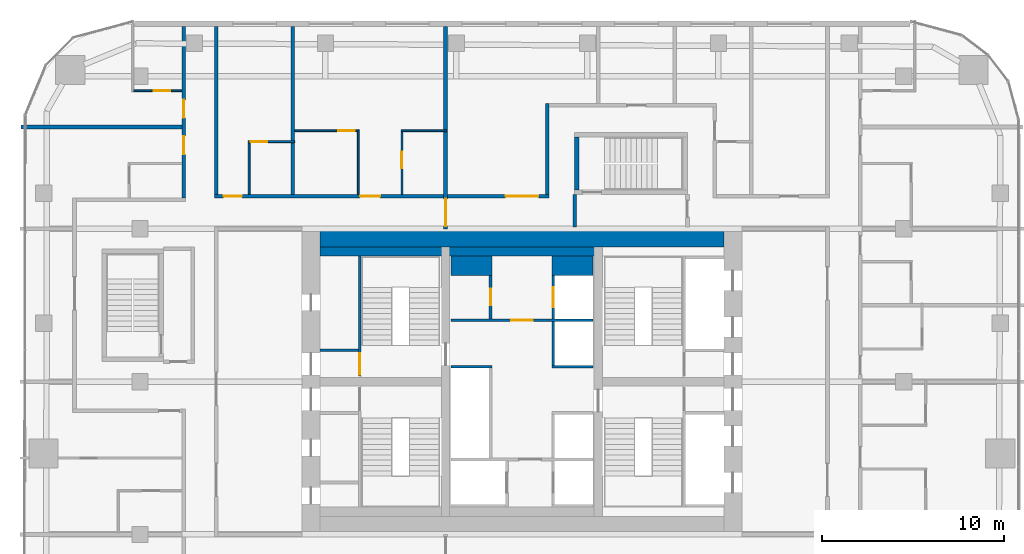
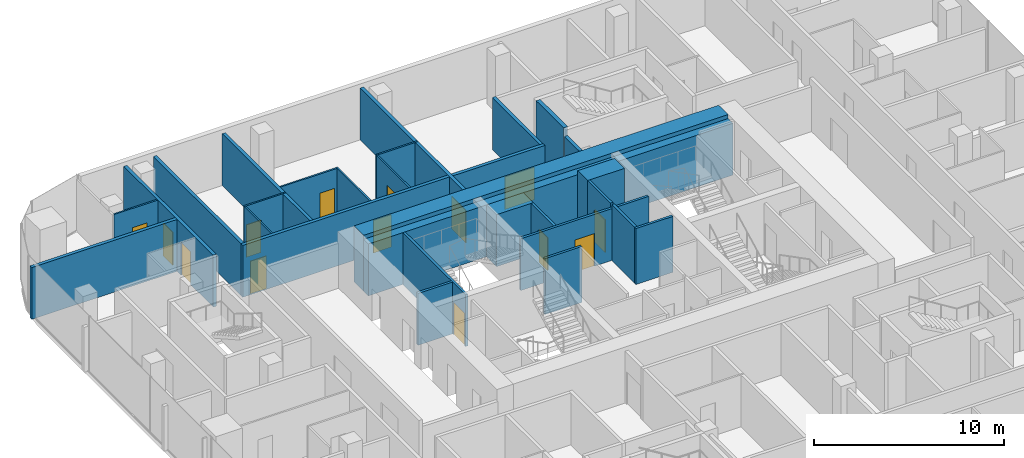
# One storey, part 19 of 23: 28 walls, 14 doors, 14 openings.
"""IFC4 building model written with IfcOpenShell, lengths in metres."""

from ifc_helpers import new_model, si_unit, direction, frame, frame_2d, origin, place, context, subcontext, project, spatial, rectangle, extrude, material, layer, layer_set, type_object, element, fill, save


model = new_model("IFC4")

# Units and contexts
model_context = context("Model", 3, precision=1e-05, world=origin(), true_north=direction((0.0, 1.0)))
body_context = subcontext(model_context, "Body", "Model", "MODEL_VIEW")
ifc_project = project(units=[si_unit("LENGTHUNIT", "METRE"), si_unit("AREAUNIT", "SQUARE_METRE"), si_unit("VOLUMEUNIT", "CUBIC_METRE"), si_unit("PLANEANGLEUNIT", "RADIAN"), si_unit("MASSUNIT", "GRAM", prefix="KILO")], contexts=[model_context])

# Site, building, storey
site_placement = place(None, origin())
site = spatial("IfcSite", under=ifc_project, at=site_placement, CompositionType="ELEMENT")
building_placement = place(site_placement, origin())
building = spatial("IfcBuilding", under=site, at=building_placement, Name="Marenta Gate Hotel Tower", CompositionType="ELEMENT")
storey_placement = place(building_placement, frame((0.0, 0.0, 126.5)))
storey = spatial("IfcBuildingStorey", under=building, at=storey_placement, Name="L28", CompositionType="ELEMENT", Elevation=126.5)

# Wall, opening, door
ifc_material_1 = material(Name="Concrete blockwork", Category="masonry")
ifc_layer_1 = layer(ifc_material_1, 0.199951171875)
ifc_layer_set_1 = layer_set([ifc_layer_1], Name="Concrete blockwork")
wall_type_1 = type_object("IfcWallType", Name="Compartment wall 200 REI 180", PredefinedType="PARTITIONING", material=ifc_layer_set_1)
wall_1_placement = place(storey_placement, frame((-4.199951171875, 16.800048828125, 0.0), z_axis=(0.0, 0.0, 1.0), x_axis=(0.0, 1.0, 0.0)))
wall_1 = element("IfcWall", 1, at=wall_1_placement, inside=storey, type_object=wall_type_1, Name="L28-PTN-W080", PredefinedType="PARTITIONING", context=body_context, shape_type="SweptSolid", body=[
    extrude(rectangle(XDim=11.139892578125, YDim=0.199951171875, at=frame_2d((5.56982421875, 0.0))), origin(), (0.0, 0.0, 1.0), 3.340087890625),
])
opening_1_placement = place(wall_1_placement, frame((0.14990234375, 0.0, 0.0)))
opening_1 = element("IfcOpeningElement", 2, at=opening_1_placement, cuts=wall_1, Name="Opening G10-FD1", PredefinedType="OPENING", context=body_context, shape_type="SweptSolid", body=[
    extrude(rectangle(XDim=1.5, YDim=2.10009765625, at=frame_2d((0.75, 1.050048828125))), frame((0.0, 0.10009765625, 0.0), z_axis=(0.0, -1.0, 0.0), x_axis=(1.0, 0.0, 0.0)), (0.0, 0.0, 1.0), 0.199951171875),
])
ifc_material_2 = material(Name="Hollow steel door set", Category="steel")
door_type_1 = type_object("IfcDoorType", Name="Compartment fire door 1500x2100 EI 60", OperationType="DOUBLE_DOOR_DOUBLE_SWING", PredefinedType="DOOR", material=ifc_material_2)
door_1_placement = place(opening_1_placement, origin())
door_1 = element("IfcDoor", 3, at=door_1_placement, inside=storey, type_object=door_type_1, Name="L28-PD-FD01", OperationType="DOUBLE_DOOR_DOUBLE_SWING", OverallHeight=2.10009765625, OverallWidth=1.5, PredefinedType="DOOR", context=body_context, shape_type="SweptSolid", body=[
    extrude(rectangle(XDim=1.5, YDim=2.10009765625, at=frame_2d((0.75, 1.050048828125))), frame((0.0, 0.02490234375, 0.0), z_axis=(0.0, -1.0, 0.0), x_axis=(1.0, 0.0, 0.0)), (0.0, 0.0, 1.0), 0.050048828125),
])
fill(opening_1, door_1)

# Wall
ifc_material_3 = material(Name="Concrete C40", Category="concrete")
ifc_layer_2 = layer(ifc_material_3, 0.5)
ifc_layer_set_2 = layer_set([ifc_layer_2], Name="Concrete C40")
wall_type_2 = type_object("IfcWallType", Name="Core lining wall 500 REI 180", PredefinedType="PARTITIONING", material=ifc_layer_set_2)
wall_2_placement = place(storey_placement, frame((-11.10009765625, 15.550048828125, 0.0), z_axis=(0.0, 0.0, 1.0), x_axis=(1.0, 0.0, 0.0)))
element("IfcWall", 4, at=wall_2_placement, inside=storey, type_object=wall_type_2, Name="L28-CP-LN-N", PredefinedType="PARTITIONING", context=body_context, shape_type="SweptSolid", body=[
    extrude(rectangle(XDim=22.2001953125, YDim=0.5, at=frame_2d((11.10009765625, 0.0))), origin(), (0.0, 0.0, 1.0), 3.340087890625),
])

# Wall, opening, door
ifc_material_4 = material(Name="Concrete blockwork", Category="masonry")
ifc_layer_3 = layer(ifc_material_4, 0.14990234375)
ifc_layer_set_3 = layer_set([ifc_layer_3], Name="Concrete blockwork")
wall_type_3 = type_object("IfcWallType", Name="Core lobby partition 150 REI 180", PredefinedType="PARTITIONING", material=ifc_layer_set_3)
wall_3_placement = place(storey_placement, frame((-3.89990234375, 11.77490234375, 0.0), z_axis=(0.0, 0.0, 1.0), x_axis=(1.0, 0.0, 0.0)))
wall_3 = element("IfcWall", 5, at=wall_3_placement, inside=storey, type_object=wall_type_3, Name="L28-CP-CW-N", PredefinedType="PARTITIONING", context=body_context, shape_type="SweptSolid", body=[
    extrude(rectangle(XDim=7.7998046875, YDim=0.14990234375, at=frame_2d((3.89990234375, 0.0))), origin(), (0.0, 0.0, 1.0), 3.340087890625),
])
opening_2_placement = place(wall_3_placement, frame((3.300048828125, 0.0, 0.0)))
opening_2 = element("IfcOpeningElement", 6, at=opening_2_placement, cuts=wall_3, Name="Opening FD-FFN", PredefinedType="OPENING", context=body_context, shape_type="SweptSolid", body=[
    extrude(rectangle(XDim=1.199951171875, YDim=2.10009765625, at=frame_2d((0.60009765625, 1.050048828125))), frame((0.0, 0.074951171875, 0.0), z_axis=(0.0, -1.0, 0.0), x_axis=(1.0, 0.0, 0.0)), (0.0, 0.0, 1.0), 0.14990234375),
])
ifc_material_5 = material(Name="Steel", Category="steel")
door_type_2 = type_object("IfcDoorType", Name="Core lobby door 1200x2100 FD60", OperationType="SINGLE_SWING_LEFT", PredefinedType="DOOR", material=ifc_material_5)
door_2_placement = place(opening_2_placement, origin())
door_2 = element("IfcDoor", 7, at=door_2_placement, inside=storey, type_object=door_type_2, Name="FD-FFN", OperationType="SINGLE_SWING_LEFT", OverallHeight=2.10009765625, OverallWidth=1.199951171875, PredefinedType="DOOR", context=body_context, shape_type="SweptSolid", body=[
    extrude(rectangle(XDim=1.199951171875, YDim=2.10009765625, at=frame_2d((0.60009765625, 1.050048828125))), frame((0.0, 0.02490234375, 0.0), z_axis=(0.0, -1.0, 0.0), x_axis=(1.0, 0.0, 0.0)), (0.0, 0.0, 1.0), 0.050048828125),
])
fill(opening_2, door_2)

# Walls
ifc_material_6 = material(Name="Concrete blockwork", Category="masonry")
ifc_layer_4 = layer(ifc_material_6, 1.050048828125)
ifc_layer_set_4 = layer_set([ifc_layer_4], Name="Concrete blockwork")
wall_type_4 = type_object("IfcWallType", Name="Core room partition 1050 REI 180", PredefinedType="PARTITIONING", material=ifc_layer_set_4)
wall_4_placement = place(storey_placement, frame((-3.89990234375, 14.77490234375, 0.0), z_axis=(0.0, 0.0, 1.0), x_axis=(1.0, 0.0, 0.0)))
element("IfcWall", 8, at=wall_4_placement, inside=storey, type_object=wall_type_4, Name="L28-CP-CW-W-riser-N", PredefinedType="PARTITIONING", context=body_context, shape_type="SweptSolid", body=[
    extrude(rectangle(XDim=2.25, YDim=1.050048828125, at=frame_2d((1.125, 0.0))), origin(), (0.0, 0.0, 1.0), 3.340087890625),
])
ifc_material_7 = material(Name="Concrete blockwork", Category="masonry")
ifc_layer_5 = layer(ifc_material_7, 0.14990234375)
ifc_layer_set_5 = layer_set([ifc_layer_5], Name="Concrete blockwork")
wall_type_5 = type_object("IfcWallType", Name="Core room partition 150 REI 180", PredefinedType="PARTITIONING", material=ifc_layer_set_5)
wall_5_placement = place(storey_placement, frame((-11.10009765625, 10.125, 0.0), z_axis=(0.0, 0.0, 1.0), x_axis=(1.0, 0.0, 0.0)))
element("IfcWall", 9, at=wall_5_placement, inside=storey, type_object=wall_type_5, Name="L28-CP-SW-WN-2", PredefinedType="PARTITIONING", context=body_context, shape_type="SweptSolid", body=[
    extrude(rectangle(XDim=2.10009765625, YDim=0.14990234375, at=frame_2d((1.050048828125, 0.0))), origin(), (0.0, 0.0, 1.0), 3.340087890625),
])

# Wall, opening, door
wall_6_placement = place(storey_placement, frame((-1.72509765625, 11.85009765625, 0.0), z_axis=(0.0, 0.0, 1.0), x_axis=(0.0, 1.0, 0.0)))
wall_6 = element("IfcWall", 10, at=wall_6_placement, inside=storey, type_object=wall_type_5, Name="L28-CP-CW-W-riser-front", PredefinedType="PARTITIONING", context=body_context, shape_type="SweptSolid", body=[
    extrude(rectangle(XDim=2.39990234375, YDim=0.14990234375, at=frame_2d((1.199951171875, 0.0))), origin(), (0.0, 0.0, 1.0), 3.340087890625),
])
opening_3_placement = place(wall_6_placement, frame((0.75, 0.0, 0.0)))
opening_3 = element("IfcOpeningElement", 11, at=opening_3_placement, cuts=wall_6, Name="Opening RD-CRISER", PredefinedType="OPENING", context=body_context, shape_type="SweptSolid", body=[
    extrude(rectangle(XDim=0.89990234375, YDim=2.10009765625, at=frame_2d((0.449951171875, 1.050048828125))), frame((0.0, 0.074951171875, 0.0), z_axis=(0.0, -1.0, 0.0), x_axis=(1.0, 0.0, 0.0)), (0.0, 0.0, 1.0), 0.14990234375),
])
ifc_material_8 = material(Name="Steel", Category="steel")
door_type_3 = type_object("IfcDoorType", Name="Core riser door 900x2100 FD60", OperationType="SINGLE_SWING_LEFT", PredefinedType="DOOR", material=ifc_material_8)
door_3_placement = place(opening_3_placement, origin())
door_3 = element("IfcDoor", 12, at=door_3_placement, inside=storey, type_object=door_type_3, Name="RD-CRISER", OperationType="SINGLE_SWING_LEFT", OverallHeight=2.10009765625, OverallWidth=0.89990234375, PredefinedType="DOOR", context=body_context, shape_type="SweptSolid", body=[
    extrude(rectangle(XDim=0.89990234375, YDim=2.10009765625, at=frame_2d((0.449951171875, 1.050048828125))), frame((0.0, 0.02490234375, 0.0), z_axis=(0.0, -1.0, 0.0), x_axis=(1.0, 0.0, 0.0)), (0.0, 0.0, 1.0), 0.050048828125),
])
fill(opening_3, door_3)

# Walls
ifc_material_9 = material(Name="Concrete C40", Category="concrete")
ifc_layer_6 = layer(ifc_material_9, 1.050048828125)
ifc_layer_set_6 = layer_set([ifc_layer_6], Name="Concrete C40")
wall_type_6 = type_object("IfcWallType", Name="Core shaft wall 1050 REI 180", PredefinedType="SHEAR", material=ifc_layer_set_6)
wall_7_placement = place(storey_placement, frame((1.64990234375, 14.77490234375, 0.0), z_axis=(0.0, 0.0, 1.0), x_axis=(1.0, 0.0, 0.0)))
element("IfcWall", 13, at=wall_7_placement, inside=storey, type_object=wall_type_6, Name="L28-SHF-CE-N-top", PredefinedType="SHEAR", context=body_context, shape_type="SweptSolid", body=[
    extrude(rectangle(XDim=2.25, YDim=1.050048828125, at=frame_2d((1.125, 0.0))), origin(), (0.0, 0.0, 1.0), 3.60009765625),
])
ifc_material_10 = material(Name="Concrete C40", Category="concrete")
ifc_layer_7 = layer(ifc_material_10, 0.14990234375)
ifc_layer_set_7 = layer_set([ifc_layer_7], Name="Concrete C40")
wall_type_7 = type_object("IfcWallType", Name="Core shaft wall 150 REI 180", PredefinedType="SHEAR", material=ifc_layer_set_7)
wall_8_placement = place(storey_placement, frame((-3.89990234375, 9.22509765625, 0.0), z_axis=(0.0, 0.0, 1.0), x_axis=(1.0, 0.0, 0.0)))
element("IfcWall", 14, at=wall_8_placement, inside=storey, type_object=wall_type_7, Name="L28-SHF-CW-W-sep", PredefinedType="SHEAR", context=body_context, shape_type="SweptSolid", body=[
    extrude(rectangle(XDim=2.25, YDim=0.14990234375, at=frame_2d((1.125, 0.0))), origin(), (0.0, 0.0, 1.0), 3.60009765625),
])

# Wall, opening, door
wall_9_placement = place(storey_placement, frame((1.72509765625, 11.85009765625, 0.0), z_axis=(0.0, 0.0, 1.0), x_axis=(0.0, 1.0, 0.0)))
wall_9 = element("IfcWall", 15, at=wall_9_placement, inside=storey, type_object=wall_type_7, Name="L28-SHF-CE-N-front2", PredefinedType="SHEAR", context=body_context, shape_type="SweptSolid", body=[
    extrude(rectangle(XDim=2.39990234375, YDim=0.14990234375, at=frame_2d((1.199951171875, 0.0))), origin(), (0.0, 0.0, 1.0), 3.60009765625),
])
opening_4_placement = place(wall_9_placement, frame((0.64990234375, 0.0, 0.0)))
opening_4 = element("IfcOpeningElement", 16, at=opening_4_placement, cuts=wall_9, Name="Opening LD-FF2", PredefinedType="OPENING", context=body_context, shape_type="SweptSolid", body=[
    extrude(rectangle(XDim=1.10009765625, YDim=2.10009765625, at=frame_2d((0.550048828125, 1.050048828125))), frame((0.0, 0.074951171875, 0.0), z_axis=(0.0, -1.0, 0.0), x_axis=(1.0, 0.0, 0.0)), (0.0, 0.0, 1.0), 0.14990234375),
])
ifc_material_11 = material(Name="Steel", Category="steel")
door_type_4 = type_object("IfcDoorType", Name="Core lift landing door 1100x2100 E 60", OperationType="SLIDING_TO_LEFT", PredefinedType="DOOR", material=ifc_material_11)
door_4_placement = place(opening_4_placement, origin())
door_4 = element("IfcDoor", 17, at=door_4_placement, inside=storey, type_object=door_type_4, Name="LD-FF2", OperationType="SLIDING_TO_LEFT", OverallHeight=2.10009765625, OverallWidth=1.10009765625, PredefinedType="DOOR", context=body_context, shape_type="SweptSolid", body=[
    extrude(rectangle(XDim=1.10009765625, YDim=2.10009765625, at=frame_2d((0.550048828125, 1.050048828125))), frame((0.0, 0.02490234375, 0.0), z_axis=(0.0, -1.0, 0.0), x_axis=(1.0, 0.0, 0.0)), (0.0, 0.0, 1.0), 0.050048828125),
])
fill(opening_4, door_4)

# Walls
wall_10_placement = place(storey_placement, frame((1.64990234375, 9.22509765625, 0.0), z_axis=(0.0, 0.0, 1.0), x_axis=(1.0, 0.0, 0.0)))
element("IfcWall", 18, at=wall_10_placement, inside=storey, type_object=wall_type_7, Name="L28-SHF-CE-sep2", PredefinedType="SHEAR", context=body_context, shape_type="SweptSolid", body=[
    extrude(rectangle(XDim=2.25, YDim=0.14990234375, at=frame_2d((1.125, 0.0))), origin(), (0.0, 0.0, 1.0), 3.60009765625),
])
wall_11_placement = place(storey_placement, frame((1.72509765625, 9.300048828125, 0.0), z_axis=(0.0, 0.0, 1.0), x_axis=(0.0, 1.0, 0.0)))
element("IfcWall", 19, at=wall_11_placement, inside=storey, type_object=wall_type_7, Name="L28-SHF-CE-front-2", PredefinedType="SHEAR", context=body_context, shape_type="SweptSolid", body=[
    extrude(rectangle(XDim=2.39990234375, YDim=0.14990234375, at=frame_2d((1.199951171875, 0.0))), origin(), (0.0, 0.0, 1.0), 3.60009765625),
])

# Wall, opening, door
ifc_material_12 = material(Name="Concrete C40", Category="concrete")
ifc_layer_8 = layer(ifc_material_12, 0.14990234375)
ifc_layer_set_8 = layer_set([ifc_layer_8], Name="Concrete C40")
wall_type_8 = type_object("IfcWallType", Name="Core stair enclosure wall 150 REI 180", PredefinedType="SHEAR", material=ifc_layer_set_8)
wall_12_placement = place(storey_placement, frame((-8.925048828125, 8.699951171875, 0.0), z_axis=(0.0, 0.0, 1.0), x_axis=(0.0, 1.0, 0.0)))
wall_12 = element("IfcWall", 20, at=wall_12_placement, inside=storey, type_object=wall_type_8, Name="L28-SHF-SW-WN-3", PredefinedType="SHEAR", context=body_context, shape_type="SweptSolid", body=[
    extrude(rectangle(XDim=6.60009765625, YDim=0.14990234375, at=frame_2d((3.300048828125, 0.0))), origin(), (0.0, 0.0, 1.0), 3.340087890625),
])
opening_5_placement = place(wall_12_placement, frame((0.074951171875, 0.0, 0.0)))
opening_5 = element("IfcOpeningElement", 21, at=opening_5_placement, cuts=wall_12, Name="Opening SD-WN", PredefinedType="OPENING", context=body_context, shape_type="SweptSolid", body=[
    extrude(rectangle(XDim=1.199951171875, YDim=2.10009765625, at=frame_2d((0.60009765625, 1.050048828125))), frame((0.0, 0.074951171875, 0.0), z_axis=(0.0, -1.0, 0.0), x_axis=(1.0, 0.0, 0.0)), (0.0, 0.0, 1.0), 0.14990234375),
])
ifc_material_13 = material(Name="Steel", Category="steel")
door_type_5 = type_object("IfcDoorType", Name="Core stair door 1200x2100 FD60", OperationType="SINGLE_SWING_LEFT", PredefinedType="DOOR", material=ifc_material_13)
door_5_placement = place(opening_5_placement, origin())
door_5 = element("IfcDoor", 22, at=door_5_placement, inside=storey, type_object=door_type_5, Name="SD-WN", OperationType="SINGLE_SWING_LEFT", OverallHeight=2.10009765625, OverallWidth=1.199951171875, PredefinedType="DOOR", context=body_context, shape_type="SweptSolid", body=[
    extrude(rectangle(XDim=1.199951171875, YDim=2.10009765625, at=frame_2d((0.60009765625, 1.050048828125))), frame((0.0, 0.02490234375, 0.0), z_axis=(0.0, -1.0, 0.0), x_axis=(1.0, 0.0, 0.0)), (0.0, 0.0, 1.0), 0.050048828125),
])
fill(opening_5, door_5)

# Walls
ifc_material_14 = material(Name="Concrete C70", Category="concrete")
ifc_layer_9 = layer(ifc_material_14, 1.0)
ifc_layer_set_9 = layer_set([ifc_layer_9], Name="Concrete C70")
wall_type_9 = type_object("IfcWallType", Name="Core wall 1000 C70", PredefinedType="SHEAR", material=ifc_layer_set_9)
wall_13_placement = place(storey_placement, frame((-11.10009765625, 16.300048828125, 0.0), z_axis=(0.0, 0.0, 1.0), x_axis=(1.0, 0.0, 0.0)))
element("IfcWall", 23, at=wall_13_placement, inside=storey, type_object=wall_type_9, Name="L28-CORE-N", PredefinedType="SHEAR", context=body_context, shape_type="SweptSolid", body=[
    extrude(rectangle(XDim=22.2001953125, YDim=1.0, at=frame_2d((11.10009765625, 0.0))), origin(), (0.0, 0.0, 1.0), 3.60009765625),
])
ifc_material_15 = material(Name="Concrete C40", Category="concrete")
ifc_layer_10 = layer(ifc_material_15, 0.25)
ifc_layer_set_10 = layer_set([ifc_layer_10], Name="Concrete C40")
wall_type_10 = type_object("IfcWallType", Name="Remote stair enclosure wall 250 REI 180", PredefinedType="SHEAR", material=ifc_layer_set_10)
wall_14_placement = place(storey_placement, frame((3.02490234375, 18.949951171875, 0.10009765625), z_axis=(0.0, 0.0, 1.0), x_axis=(0.0, 1.0, 0.0)))
element("IfcWall", 24, at=wall_14_placement, inside=storey, type_object=wall_type_10, Name="L28-RS-Z2-4-W3", PredefinedType="SHEAR", context=body_context, shape_type="SweptSolid", body=[
    extrude(rectangle(XDim=2.900146484375, YDim=0.25, at=frame_2d((1.4501953125, 0.0))), origin(), (0.0, 0.0, 1.0), 3.599853515625),
])
ifc_material_16 = material(Name="Gypsum board on steel stud", Category="steel")
ifc_layer_11 = layer(ifc_material_16, 0.199951171875)
ifc_layer_set_11 = layer_set([ifc_layer_11], Name="Gypsum board on steel stud")
wall_type_11 = type_object("IfcWallType", Name="Room corridor wall 200 EI 60", PredefinedType="PARTITIONING", material=ifc_layer_set_11)
wall_15_placement = place(storey_placement, frame((1.39990234375, 18.699951171875, 0.0), z_axis=(0.0, 0.0, 1.0), x_axis=(0.0, 1.0, 0.0)))
element("IfcWall", 25, at=wall_15_placement, inside=storey, type_object=wall_type_11, Name="L28-PTN-W071", PredefinedType="PARTITIONING", context=body_context, shape_type="SweptSolid", body=[
    extrude(rectangle(XDim=5.0, YDim=0.199951171875, at=frame_2d((2.5, 0.0))), origin(), (0.0, 0.0, 1.0), 3.340087890625),
])
wall_16_placement = place(storey_placement, frame((-16.800048828125, 18.699951171875, 0.0), z_axis=(0.0, 0.0, 1.0), x_axis=(0.0, 1.0, 0.0)))
element("IfcWall", 26, at=wall_16_placement, inside=storey, type_object=wall_type_11, Name="L28-PTN-W106", PredefinedType="PARTITIONING", context=body_context, shape_type="SweptSolid", body=[
    extrude(rectangle(XDim=9.239990234375, YDim=0.199951171875, at=frame_2d((4.6201171875, 0.0))), origin(), (0.0, 0.0, 1.0), 3.340087890625),
])

# Wall, openings, doors
wall_17_placement = place(storey_placement, frame((-18.60009765625, 18.5, 0.0), z_axis=(0.0, 0.0, 1.0), x_axis=(0.0, 1.0, 0.0)))
wall_17 = element("IfcWall", 27, at=wall_17_placement, inside=storey, type_object=wall_type_11, Name="L28-PTN-W112", PredefinedType="PARTITIONING", context=body_context, shape_type="SweptSolid", body=[
    extrude(rectangle(XDim=9.43994140625, YDim=0.199951171875, at=frame_2d((4.719970703125, 0.0))), origin(), (0.0, 0.0, 1.0), 3.340087890625),
])
opening_6_placement = place(wall_17_placement, frame((2.39990234375, 0.0, 0.0)))
opening_6 = element("IfcOpeningElement", 28, at=opening_6_placement, cuts=wall_17, Name="Opening G10-65", PredefinedType="OPENING", context=body_context, shape_type="SweptSolid", body=[
    extrude(rectangle(XDim=1.0, YDim=2.10009765625, at=frame_2d((0.5, 1.050048828125))), frame((0.0, 0.10009765625, 0.0), z_axis=(0.0, -1.0, 0.0), x_axis=(1.0, 0.0, 0.0)), (0.0, 0.0, 1.0), 0.199951171875),
])
opening_7_placement = place(wall_17_placement, frame((4.39990234375, 0.0, 0.0)))
opening_7 = element("IfcOpeningElement", 29, at=opening_7_placement, cuts=wall_17, Name="Opening G10-67", PredefinedType="OPENING", context=body_context, shape_type="SweptSolid", body=[
    extrude(rectangle(XDim=1.0, YDim=2.10009765625, at=frame_2d((0.5, 1.050048828125))), frame((0.0, 0.10009765625, 0.0), z_axis=(0.0, -1.0, 0.0), x_axis=(1.0, 0.0, 0.0)), (0.0, 0.0, 1.0), 0.199951171875),
])
ifc_material_17 = material(Name="Timber door leaf", Category="wood")
door_type_6 = type_object("IfcDoorType", Name="Guest room door 1000x2100 EI 30", OperationType="NOTDEFINED", PredefinedType="DOOR", material=ifc_material_17)
door_6_placement = place(opening_6_placement, origin())
door_6 = element("IfcDoor", 30, at=door_6_placement, inside=storey, type_object=door_type_6, Name="L28-PD-D065", OperationType="SINGLE_SWING_RIGHT", OverallHeight=2.10009765625, OverallWidth=1.0, PredefinedType="DOOR", context=body_context, shape_type="SweptSolid", body=[
    extrude(rectangle(XDim=1.0, YDim=2.10009765625, at=frame_2d((0.5, 1.050048828125))), frame((0.0, 0.02490234375, 0.0), z_axis=(0.0, -1.0, 0.0), x_axis=(1.0, 0.0, 0.0)), (0.0, 0.0, 1.0), 0.050048828125),
])
fill(opening_6, door_6)
door_7_placement = place(opening_7_placement, origin())
door_7 = element("IfcDoor", 31, at=door_7_placement, inside=storey, type_object=door_type_6, Name="L28-PD-D067", OperationType="SINGLE_SWING_RIGHT", OverallHeight=2.10009765625, OverallWidth=1.0, PredefinedType="DOOR", context=body_context, shape_type="SweptSolid", body=[
    extrude(rectangle(XDim=1.0, YDim=2.10009765625, at=frame_2d((0.5, 1.050048828125))), frame((0.0, 0.02490234375, 0.0), z_axis=(0.0, -1.0, 0.0), x_axis=(1.0, 0.0, 0.0)), (0.0, 0.0, 1.0), 0.050048828125),
])
fill(opening_7, door_7)

wall_18_placement = place(storey_placement, frame((-16.89990234375, 18.60009765625, 0.0), z_axis=(0.0, 0.0, 1.0), x_axis=(1.0, 0.0, 0.0)))
wall_18 = element("IfcWall", 32, at=wall_18_placement, inside=storey, type_object=wall_type_11, Name="L28-PTN-W113", PredefinedType="PARTITIONING", context=body_context, shape_type="SweptSolid", body=[
    extrude(rectangle(XDim=18.39990234375, YDim=0.199951171875, at=frame_2d((9.199951171875, 0.0))), origin(), (0.0, 0.0, 1.0), 3.340087890625),
])
opening_8_placement = place(wall_18_placement, frame((0.5, 0.0, 0.0)))
opening_8 = element("IfcOpeningElement", 33, at=opening_8_placement, cuts=wall_18, Name="Opening G10-30", PredefinedType="OPENING", context=body_context, shape_type="SweptSolid", body=[
    extrude(rectangle(XDim=1.0, YDim=2.10009765625, at=frame_2d((0.5, 1.050048828125))), frame((0.0, 0.10009765625, 0.0), z_axis=(0.0, -1.0, 0.0), x_axis=(1.0, 0.0, 0.0)), (0.0, 0.0, 1.0), 0.199951171875),
])
opening_9_placement = place(wall_18_placement, frame((8.0, 0.0, 0.0)))
opening_9 = element("IfcOpeningElement", 34, at=opening_9_placement, cuts=wall_18, Name="Opening G10-32", PredefinedType="OPENING", context=body_context, shape_type="SweptSolid", body=[
    extrude(rectangle(XDim=1.10009765625, YDim=2.10009765625, at=frame_2d((0.550048828125, 1.050048828125))), frame((0.0, 0.10009765625, 0.0), z_axis=(0.0, -1.0, 0.0), x_axis=(1.0, 0.0, 0.0)), (0.0, 0.0, 1.0), 0.199951171875),
])
opening_10_placement = place(wall_18_placement, frame((16.0, 0.0, 0.0)))
opening_10 = element("IfcOpeningElement", 35, at=opening_10_placement, cuts=wall_18, Name="Opening G10-35", PredefinedType="OPENING", context=body_context, shape_type="SweptSolid", body=[
    extrude(rectangle(XDim=1.800048828125, YDim=2.10009765625, at=frame_2d((0.89990234375, 1.050048828125))), frame((0.0, 0.10009765625, 0.0), z_axis=(0.0, -1.0, 0.0), x_axis=(1.0, 0.0, 0.0)), (0.0, 0.0, 1.0), 0.199951171875),
])
door_8_placement = place(opening_8_placement, origin())
door_8 = element("IfcDoor", 36, at=door_8_placement, inside=storey, type_object=door_type_6, Name="L28-PD-D030", OperationType="SINGLE_SWING_LEFT", OverallHeight=2.10009765625, OverallWidth=1.0, PredefinedType="DOOR", context=body_context, shape_type="SweptSolid", body=[
    extrude(rectangle(XDim=1.0, YDim=2.10009765625, at=frame_2d((0.5, 1.050048828125))), frame((0.0, 0.02490234375, 0.0), z_axis=(0.0, -1.0, 0.0), x_axis=(1.0, 0.0, 0.0)), (0.0, 0.0, 1.0), 0.050048828125),
])
fill(opening_8, door_8)
ifc_material_18 = material(Name="Timber door leaf", Category="wood")
door_type_7 = type_object("IfcDoorType", Name="Guest room door 1100x2100 EI 30", OperationType="NOTDEFINED", PredefinedType="DOOR", material=ifc_material_18)
door_9_placement = place(opening_9_placement, origin())
door_9 = element("IfcDoor", 37, at=door_9_placement, inside=storey, type_object=door_type_7, Name="L28-PD-D032", OperationType="SINGLE_SWING_LEFT", OverallHeight=2.10009765625, OverallWidth=1.10009765625, PredefinedType="DOOR", context=body_context, shape_type="SweptSolid", body=[
    extrude(rectangle(XDim=1.10009765625, YDim=2.10009765625, at=frame_2d((0.550048828125, 1.050048828125))), frame((0.0, 0.02490234375, 0.0), z_axis=(0.0, -1.0, 0.0), x_axis=(1.0, 0.0, 0.0)), (0.0, 0.0, 1.0), 0.050048828125),
])
fill(opening_9, door_9)
ifc_material_19 = material(Name="Timber door leaf", Category="wood")
door_type_8 = type_object("IfcDoorType", Name="Room amenity door 1800x2100 EI 30", OperationType="DOUBLE_DOOR_SINGLE_SWING", PredefinedType="DOOR", material=ifc_material_19)
door_10_placement = place(opening_10_placement, origin())
door_10 = element("IfcDoor", 38, at=door_10_placement, inside=storey, type_object=door_type_8, Name="L28-PD-D035", OperationType="DOUBLE_DOOR_SINGLE_SWING", OverallHeight=2.10009765625, OverallWidth=1.800048828125, PredefinedType="DOOR", context=body_context, shape_type="SweptSolid", body=[
    extrude(rectangle(XDim=1.800048828125, YDim=2.10009765625, at=frame_2d((0.89990234375, 1.050048828125))), frame((0.0, 0.02490234375, 0.0), z_axis=(0.0, -1.0, 0.0), x_axis=(1.0, 0.0, 0.0)), (0.0, 0.0, 1.0), 0.050048828125),
])
fill(opening_10, door_10)

# Wall
ifc_material_20 = material(Name="Concrete blockwork", Category="masonry")
ifc_layer_12 = layer(ifc_material_20, 0.199951171875)
ifc_layer_set_12 = layer_set([ifc_layer_12], Name="Concrete blockwork")
wall_type_12 = type_object("IfcWallType", Name="Room corridor wall 200 REI 180", PredefinedType="PARTITIONING", material=ifc_layer_set_12)
wall_19_placement = place(storey_placement, frame((2.89990234375, 16.89990234375, 0.0), z_axis=(0.0, 0.0, 1.0), x_axis=(0.0, 1.0, 0.0)))
element("IfcWall", 39, at=wall_19_placement, inside=storey, type_object=wall_type_12, Name="L28-PTN-W065", PredefinedType="PARTITIONING", context=body_context, shape_type="SweptSolid", body=[
    extrude(rectangle(XDim=1.800048828125, YDim=0.199951171875, at=frame_2d((0.89990234375, 0.0))), origin(), (0.0, 0.0, 1.0), 3.340087890625),
])

# Wall, opening, door
ifc_material_21 = material(Name="Gypsum board on steel stud", Category="steel")
ifc_layer_13 = layer(ifc_material_21, 0.10009765625)
ifc_layer_set_13 = layer_set([ifc_layer_13], Name="Gypsum board on steel stud")
wall_type_13 = type_object("IfcWallType", Name="Room partition 100", PredefinedType="PARTITIONING", material=ifc_layer_set_13)
wall_20_placement = place(storey_placement, frame((-6.60009765625, 18.699951171875, 0.0), z_axis=(0.0, 0.0, 1.0), x_axis=(0.0, 1.0, 0.0)))
wall_20 = element("IfcWall", 40, at=wall_20_placement, inside=storey, type_object=wall_type_13, Name="L28-PTN-W085", PredefinedType="PARTITIONING", context=body_context, shape_type="SweptSolid", body=[
    extrude(rectangle(XDim=3.449951171875, YDim=0.10009765625, at=frame_2d((1.72509765625, 0.0))), origin(), (0.0, 0.0, 1.0), 3.340087890625),
])
opening_11_placement = place(wall_20_placement, frame((1.429931640625, 0.0, 0.0)))
opening_11 = element("IfcOpeningElement", 41, at=opening_11_placement, cuts=wall_20, Name="Opening G10-34", PredefinedType="OPENING", context=body_context, shape_type="SweptSolid", body=[
    extrude(rectangle(XDim=0.89990234375, YDim=2.10009765625, at=frame_2d((0.449951171875, 1.050048828125))), frame((0.0, 0.050048828125, 0.0), z_axis=(0.0, -1.0, 0.0), x_axis=(1.0, 0.0, 0.0)), (0.0, 0.0, 1.0), 0.10009765625),
])
ifc_material_22 = material(Name="Timber door leaf", Category="wood")
door_type_9 = type_object("IfcDoorType", Name="Room inner door 900x2100", OperationType="NOTDEFINED", PredefinedType="DOOR", material=ifc_material_22)
door_11_placement = place(opening_11_placement, origin())
door_11 = element("IfcDoor", 42, at=door_11_placement, inside=storey, type_object=door_type_9, Name="L28-PD-D034", OperationType="SINGLE_SWING_LEFT", OverallHeight=2.10009765625, OverallWidth=0.89990234375, PredefinedType="DOOR", context=body_context, shape_type="SweptSolid", body=[
    extrude(rectangle(XDim=0.89990234375, YDim=2.10009765625, at=frame_2d((0.449951171875, 1.050048828125))), frame((0.0, 0.02490234375, 0.0), z_axis=(0.0, -1.0, 0.0), x_axis=(1.0, 0.0, 0.0)), (0.0, 0.0, 1.0), 0.050048828125),
])
fill(opening_11, door_11)

# Walls
wall_21_placement = place(storey_placement, frame((-9.0, 18.699951171875, 0.0), z_axis=(0.0, 0.0, 1.0), x_axis=(0.0, 1.0, 0.0)))
element("IfcWall", 43, at=wall_21_placement, inside=storey, type_object=wall_type_13, Name="L28-PTN-W091", PredefinedType="PARTITIONING", context=body_context, shape_type="SweptSolid", body=[
    extrude(rectangle(XDim=3.550048828125, YDim=0.10009765625, at=frame_2d((1.77490234375, 0.0))), origin(), (0.0, 0.0, 1.0), 3.340087890625),
])
wall_22_placement = place(storey_placement, frame((-15.0, 18.699951171875, 0.0), z_axis=(0.0, 0.0, 1.0), x_axis=(0.0, 1.0, 0.0)))
element("IfcWall", 44, at=wall_22_placement, inside=storey, type_object=wall_type_13, Name="L28-PTN-W101", PredefinedType="PARTITIONING", context=body_context, shape_type="SweptSolid", body=[
    extrude(rectangle(XDim=2.85009765625, YDim=0.10009765625, at=frame_2d((1.425048828125, 0.0))), origin(), (0.0, 0.0, 1.0), 3.340087890625),
])

# Wall, opening, door
wall_23_placement = place(storey_placement, frame((-15.050048828125, 21.60009765625, 0.0), z_axis=(0.0, 0.0, 1.0), x_axis=(1.0, 0.0, 0.0)))
wall_23 = element("IfcWall", 45, at=wall_23_placement, inside=storey, type_object=wall_type_13, Name="L28-PTN-W120", PredefinedType="PARTITIONING", context=body_context, shape_type="SweptSolid", body=[
    extrude(rectangle(XDim=2.550048828125, YDim=0.10009765625, at=frame_2d((1.27490234375, 0.0))), origin(), (0.0, 0.0, 1.0), 3.340087890625),
])
opening_12_placement = place(wall_23_placement, frame((0.14990234375, 0.0, 0.0)))
opening_12 = element("IfcOpeningElement", 46, at=opening_12_placement, cuts=wall_23, Name="Opening G10-31", PredefinedType="OPENING", context=body_context, shape_type="SweptSolid", body=[
    extrude(rectangle(XDim=0.89990234375, YDim=2.10009765625, at=frame_2d((0.449951171875, 1.050048828125))), frame((0.0, 0.050048828125, 0.0), z_axis=(0.0, -1.0, 0.0), x_axis=(1.0, 0.0, 0.0)), (0.0, 0.0, 1.0), 0.10009765625),
])
ifc_material_23 = material(Name="Timber door leaf", Category="wood")
door_type_10 = type_object("IfcDoorType", Name="Guest bathroom door 900x2100", OperationType="NOTDEFINED", PredefinedType="DOOR", material=ifc_material_23)
door_12_placement = place(opening_12_placement, origin())
door_12 = element("IfcDoor", 47, at=door_12_placement, inside=storey, type_object=door_type_10, Name="L28-PD-D031", OperationType="SINGLE_SWING_RIGHT", OverallHeight=2.10009765625, OverallWidth=0.89990234375, PredefinedType="DOOR", context=body_context, shape_type="SweptSolid", body=[
    extrude(rectangle(XDim=0.89990234375, YDim=2.10009765625, at=frame_2d((0.449951171875, 1.050048828125))), frame((0.0, 0.02490234375, 0.0), z_axis=(0.0, -1.0, 0.0), x_axis=(1.0, 0.0, 0.0)), (0.0, 0.0, 1.0), 0.050048828125),
])
fill(opening_12, door_12)

wall_24_placement = place(storey_placement, frame((-12.5, 22.199951171875, 0.0), z_axis=(0.0, 0.0, 1.0), x_axis=(1.0, 0.0, 0.0)))
wall_24 = element("IfcWall", 48, at=wall_24_placement, inside=storey, type_object=wall_type_13, Name="L28-PTN-W123", PredefinedType="PARTITIONING", context=body_context, shape_type="SweptSolid", body=[
    extrude(rectangle(XDim=3.449951171875, YDim=0.10009765625, at=frame_2d((1.72509765625, 0.0))), origin(), (0.0, 0.0, 1.0), 3.340087890625),
])
opening_13_placement = place(wall_24_placement, frame((2.39990234375, 0.0, 0.0)))
opening_13 = element("IfcOpeningElement", 49, at=opening_13_placement, cuts=wall_24, Name="Opening G10-33", PredefinedType="OPENING", context=body_context, shape_type="SweptSolid", body=[
    extrude(rectangle(XDim=0.89990234375, YDim=2.10009765625, at=frame_2d((0.449951171875, 1.050048828125))), frame((0.0, 0.050048828125, 0.0), z_axis=(0.0, -1.0, 0.0), x_axis=(1.0, 0.0, 0.0)), (0.0, 0.0, 1.0), 0.10009765625),
])
door_13_placement = place(opening_13_placement, origin())
door_13 = element("IfcDoor", 50, at=door_13_placement, inside=storey, type_object=door_type_10, Name="L28-PD-D033", OperationType="SINGLE_SWING_LEFT", OverallHeight=2.10009765625, OverallWidth=0.89990234375, PredefinedType="DOOR", context=body_context, shape_type="SweptSolid", body=[
    extrude(rectangle(XDim=0.89990234375, YDim=2.10009765625, at=frame_2d((0.449951171875, 1.050048828125))), frame((0.0, 0.02490234375, 0.0), z_axis=(0.0, -1.0, 0.0), x_axis=(1.0, 0.0, 0.0)), (0.0, 0.0, 1.0), 0.050048828125),
])
fill(opening_13, door_13)

# Wall
wall_25_placement = place(storey_placement, frame((-6.64990234375, 22.199951171875, 0.0), z_axis=(0.0, 0.0, 1.0), x_axis=(1.0, 0.0, 0.0)))
element("IfcWall", 51, at=wall_25_placement, inside=storey, type_object=wall_type_13, Name="L28-PTN-W124", PredefinedType="PARTITIONING", context=body_context, shape_type="SweptSolid", body=[
    extrude(rectangle(XDim=2.5498046875, YDim=0.10009765625, at=frame_2d((1.27490234375, 0.0))), origin(), (0.0, 0.0, 1.0), 3.340087890625),
])

# Wall, opening, door
wall_26_placement = place(storey_placement, frame((-21.35009765625, 24.39990234375, 0.0), z_axis=(0.0, 0.0, 1.0), x_axis=(1.0, 0.0, 0.0)))
wall_26 = element("IfcWall", 52, at=wall_26_placement, inside=storey, type_object=wall_type_13, Name="L28-PTN-W129", PredefinedType="PARTITIONING", context=body_context, shape_type="SweptSolid", body=[
    extrude(rectangle(XDim=2.650146484375, YDim=0.10009765625, at=frame_2d((1.3251953125, 0.0))), origin(), (0.0, 0.0, 1.0), 3.340087890625),
])
opening_14_placement = place(wall_26_placement, frame((1.110107421875, 0.0, 0.0)))
opening_14 = element("IfcOpeningElement", 53, at=opening_14_placement, cuts=wall_26, Name="Opening G10-68", PredefinedType="OPENING", context=body_context, shape_type="SweptSolid", body=[
    extrude(rectangle(XDim=0.89990234375, YDim=2.10009765625, at=frame_2d((0.449951171875, 1.050048828125))), frame((0.0, 0.050048828125, 0.0), z_axis=(0.0, -1.0, 0.0), x_axis=(1.0, 0.0, 0.0)), (0.0, 0.0, 1.0), 0.10009765625),
])
door_14_placement = place(opening_14_placement, origin())
door_14 = element("IfcDoor", 54, at=door_14_placement, inside=storey, type_object=door_type_10, Name="L28-PD-D068", OperationType="SINGLE_SWING_LEFT", OverallHeight=2.10009765625, OverallWidth=0.89990234375, PredefinedType="DOOR", context=body_context, shape_type="SweptSolid", body=[
    extrude(rectangle(XDim=0.89990234375, YDim=2.10009765625, at=frame_2d((0.449951171875, 1.050048828125))), frame((0.0, 0.02490234375, 0.0), z_axis=(0.0, -1.0, 0.0), x_axis=(1.0, 0.0, 0.0)), (0.0, 0.0, 1.0), 0.050048828125),
])
fill(opening_14, door_14)

# Walls
ifc_material_24 = material(Name="Gypsum board on steel stud", Category="steel")
ifc_layer_14 = layer(ifc_material_24, 0.199951171875)
ifc_layer_set_14 = layer_set([ifc_layer_14], Name="Gypsum board on steel stud")
wall_type_14 = type_object("IfcWallType", Name="Room party wall 200 EI 60", PredefinedType="PARTITIONING", material=ifc_layer_set_14)
wall_27_placement = place(storey_placement, frame((-12.60009765625, 18.699951171875, 0.0), z_axis=(0.0, 0.0, 1.0), x_axis=(0.0, 1.0, 0.0)))
element("IfcWall", 55, at=wall_27_placement, inside=storey, type_object=wall_type_14, Name="L28-PTN-W098", PredefinedType="PARTITIONING", context=body_context, shape_type="SweptSolid", body=[
    extrude(rectangle(XDim=9.239990234375, YDim=0.199951171875, at=frame_2d((4.6201171875, 0.0))), origin(), (0.0, 0.0, 1.0), 3.340087890625),
])
wall_28_placement = place(storey_placement, frame((-27.547119140625, 22.39990234375, 0.0), z_axis=(0.0, 0.0, 1.0), x_axis=(1.0, 0.0, 0.0)))
element("IfcWall", 56, at=wall_28_placement, inside=storey, type_object=wall_type_14, Name="L28-PTN-W125", PredefinedType="PARTITIONING", context=body_context, shape_type="SweptSolid", body=[
    extrude(rectangle(XDim=8.84716796875, YDim=0.199951171875, at=frame_2d((4.423583984375, 0.0))), origin(), (0.0, 0.0, 1.0), 3.340087890625),
])

save(model, "model.ifc")
